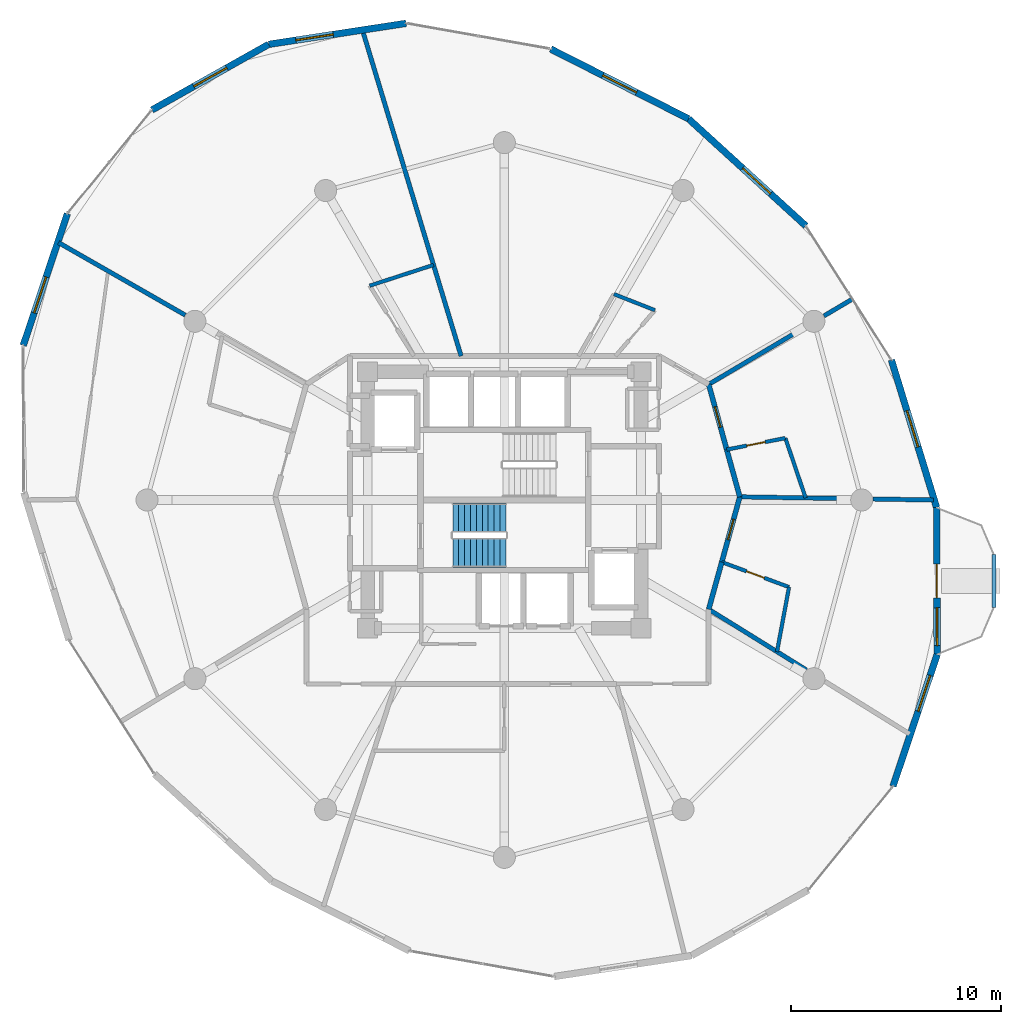
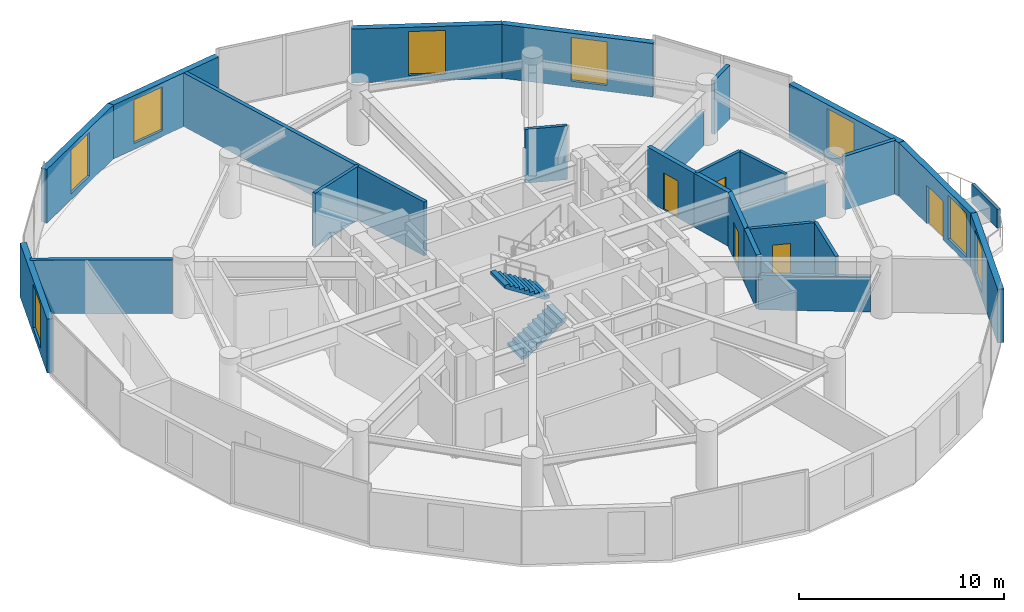
# One storey, part 19 of 22: 26 walls, 8 windows, 5 doors, 2 stair flights, 13 openings, 1 element without a shape of its own.
"""IFC4 building model written with IfcOpenShell, lengths in metres."""

from ifc_helpers import new_model, si_unit, direction, frame, frame_2d, origin, place, context, subcontext, project, spatial, polyline, rectangle, outline, extrude, material, layer, layer_set, type_object, element, fill, aggregate, save


model = new_model("IFC4")

# Units and contexts
model_context = context("Model", 3, precision=1e-05, world=origin(), true_north=direction((0.0, 1.0)))
body_context = subcontext(model_context, "Body", "Model", "MODEL_VIEW")
ifc_project = project(units=[si_unit("LENGTHUNIT", "METRE"), si_unit("AREAUNIT", "SQUARE_METRE"), si_unit("VOLUMEUNIT", "CUBIC_METRE"), si_unit("PLANEANGLEUNIT", "RADIAN"), si_unit("MASSUNIT", "GRAM", prefix="KILO")], contexts=[model_context])

# Site, building, storey
site_placement = place(None, origin())
site = spatial("IfcSite", under=ifc_project, at=site_placement, CompositionType="ELEMENT")
building_placement = place(site_placement, origin())
building = spatial("IfcBuilding", under=site, at=building_placement, Name="Solvirekh Grand Hotel", CompositionType="ELEMENT")
storey_placement = place(building_placement, frame((0.0, 0.0, 160.199951171875)))
storey = spatial("IfcBuildingStorey", under=building, at=storey_placement, Name="L41", CompositionType="ELEMENT", Elevation=160.199951171875)

# Wall, opening, window
ifc_material_1 = material(Name="Precast concrete C45/55", Category="concrete")
ifc_layer_1 = layer(ifc_material_1, 0.320068359375)
ifc_layer_set_1 = layer_set([ifc_layer_1], Name="Precast concrete C45/55")
wall_type_1 = type_object("IfcWallType", Name="ExtLobbyWall_RC320", PredefinedType="SOLIDWALL", material=ifc_layer_set_1)
wall_1_placement = place(storey_placement, frame((20.589111328125, -7.347900390625, 0.0), z_axis=(0.0, 0.0, 1.0), x_axis=(-0.317866465999, -0.948135491264, 0.0)))
wall_1 = element("IfcWall", 1, at=wall_1_placement, inside=storey, type_object=wall_type_1, Name="L41 exterior structural wall chord 2", PredefinedType="SOLIDWALL", context=body_context, shape_type="SweptSolid", body=[
    extrude(rectangle(XDim=6.613037109375, YDim=0.320068359375, at=frame_2d((3.306640625, 0.0))), origin(), (0.0, 0.0, 1.0), 3.199951171875),
])
opening_1_placement = place(wall_1_placement, frame((1.052001953125, 0.0, 0.35009765625)))
opening_1 = element("IfcOpeningElement", 2, at=opening_1_placement, cuts=wall_1, Name="Opening W02", PredefinedType="OPENING", context=body_context, shape_type="SweptSolid", body=[
    extrude(rectangle(XDim=1.800048828125, YDim=2.60009765625, at=frame_2d((0.89990234375, 1.300048828125))), frame((0.0, 0.169921875, 0.0), z_axis=(0.0, -1.0, 0.0), x_axis=(1.0, 0.0, 0.0)), (0.0, 0.0, 1.0), 0.340087890625),
])
ifc_material_2 = material(Name="Low-E Tinted Bronze Laminated Glass", Category="aluminium")
window_type = type_object("IfcWindowType", Name="Win_LobbyExt_1800X2600", PartitioningType="SINGLE_PANEL", PredefinedType="WINDOW", material=ifc_material_2)
window_1_placement = place(opening_1_placement, origin())
window_1 = element("IfcWindow", 3, at=window_1_placement, inside=storey, type_object=window_type, Name="L41 panoramic bronze-framed window 2", OverallHeight=2.60009765625, OverallWidth=1.800048828125, PartitioningType="SINGLE_PANEL", PredefinedType="WINDOW", context=body_context, shape_type="SweptSolid", body=[
    extrude(rectangle(XDim=1.800048828125, YDim=2.60009765625, at=frame_2d((0.89990234375, 1.300048828125))), frame((0.0, 0.030029296875, 0.0), z_axis=(0.0, -1.0, 0.0), x_axis=(1.0, 0.0, 0.0)), (0.0, 0.0, 1.0), 0.06005859375),
])
fill(opening_1, window_1)

# Wall, openings, door, window
wall_2_placement = place(storey_placement, frame((20.56201171875, -0.35791015625, 0.0), z_axis=(0.0, 0.0, 1.0), x_axis=(0.003876887493, -0.999992484843, 0.0)))
wall_2 = element("IfcWall", 4, at=wall_2_placement, inside=storey, type_object=wall_type_1, Name="L41 exterior structural wall chord 3", PredefinedType="SOLIDWALL", context=body_context, shape_type="SweptSolid", body=[
    extrude(rectangle(XDim=6.989990234375, YDim=0.320068359375, at=frame_2d((3.4951171875, 0.0))), origin(), (0.0, 0.0, 1.0), 3.199951171875),
])
opening_2_placement = place(wall_2_placement, frame((4.76806640625, 0.0, 0.35009765625)))
opening_2 = element("IfcOpeningElement", 5, at=opening_2_placement, cuts=wall_2, Name="Opening W02", PredefinedType="OPENING", context=body_context, shape_type="SweptSolid", body=[
    extrude(rectangle(XDim=1.800048828125, YDim=2.60009765625, at=frame_2d((0.89990234375, 1.300048828125))), frame((0.0, 0.169921875, 0.0), z_axis=(0.0, -1.0, 0.0), x_axis=(1.0, 0.0, 0.0)), (0.0, 0.0, 1.0), 0.340087890625),
])
opening_3_placement = place(wall_2_placement, frame((2.695068359375, 0.0, 0.0)))
opening_3 = element("IfcOpeningElement", 6, at=opening_3_placement, cuts=wall_2, Name="Opening D04", PredefinedType="OPENING", context=body_context, shape_type="SweptSolid", body=[
    extrude(rectangle(XDim=1.60009765625, YDim=2.300048828125, at=frame_2d((0.800048828125, 1.14990234375))), frame((0.0, 0.169921875, 0.0), z_axis=(0.0, -1.0, 0.0), x_axis=(1.0, 0.0, 0.0)), (0.0, 0.0, 1.0), 0.340087890625),
])
ifc_material_3 = material(Name="Anodized Bronze Aluminium 6063-T6", Category="aluminium")
door_type_1 = type_object("IfcDoorType", Name="Door_ExtTerrace_1600X2300", OperationType="NOTDEFINED", PredefinedType="DOOR", material=ifc_material_3)
door_1_placement = place(opening_3_placement, origin())
door_1 = element("IfcDoor", 7, at=door_1_placement, inside=storey, type_object=door_type_1, Name="L41 East horn sky-garden terrace door (3)", OperationType="SINGLE_SWING_RIGHT", OverallHeight=2.300048828125, OverallWidth=1.60009765625, PredefinedType="DOOR", context=body_context, shape_type="SweptSolid", body=[
    extrude(rectangle(XDim=1.60009765625, YDim=2.300048828125, at=frame_2d((0.800048828125, 1.14990234375))), frame((0.0, 0.02490234375, 0.0), z_axis=(0.0, -1.0, 0.0), x_axis=(1.0, 0.0, 0.0)), (0.0, 0.0, 1.0), 0.050048828125),
])
fill(opening_3, door_1)
window_2_placement = place(opening_2_placement, origin())
window_2 = element("IfcWindow", 8, at=window_2_placement, inside=storey, type_object=window_type, Name="L41 exterior side window 3", OverallHeight=2.60009765625, OverallWidth=1.800048828125, PartitioningType="SINGLE_PANEL", PredefinedType="WINDOW", context=body_context, shape_type="SweptSolid", body=[
    extrude(rectangle(XDim=1.800048828125, YDim=2.60009765625, at=frame_2d((0.89990234375, 1.300048828125))), frame((0.0, 0.030029296875, 0.0), z_axis=(0.0, -1.0, 0.0), x_axis=(1.0, 0.0, 0.0)), (0.0, 0.0, 1.0), 0.06005859375),
])
fill(opening_2, window_2)

# Wall, opening, window
wall_3_placement = place(storey_placement, frame((18.410888671875, 6.666015625, 0.0), z_axis=(0.0, 0.0, 1.0), x_axis=(0.292831477481, -0.956164068451, 0.0)))
wall_3 = element("IfcWall", 9, at=wall_3_placement, inside=storey, type_object=wall_type_1, Name="L41 exterior structural wall chord 4", PredefinedType="SOLIDWALL", context=body_context, shape_type="SweptSolid", body=[
    extrude(rectangle(XDim=7.345947265625, YDim=0.320068359375, at=frame_2d((3.6728515625, 0.0))), origin(), (0.0, 0.0, 1.0), 3.199951171875),
])
opening_4_placement = place(wall_3_placement, frame((2.530029296875, 0.0, 0.35009765625)))
opening_4 = element("IfcOpeningElement", 10, at=opening_4_placement, cuts=wall_3, Name="Opening W02", PredefinedType="OPENING", context=body_context, shape_type="SweptSolid", body=[
    extrude(rectangle(XDim=1.800048828125, YDim=2.60009765625, at=frame_2d((0.89990234375, 1.300048828125))), frame((0.0, 0.169921875, 0.0), z_axis=(0.0, -1.0, 0.0), x_axis=(1.0, 0.0, 0.0)), (0.0, 0.0, 1.0), 0.340087890625),
])
window_3_placement = place(opening_4_placement, origin())
window_3 = element("IfcWindow", 11, at=window_3_placement, inside=storey, type_object=window_type, Name="L41 panoramic bronze-framed window 4", OverallHeight=2.60009765625, OverallWidth=1.800048828125, PartitioningType="SINGLE_PANEL", PredefinedType="WINDOW", context=body_context, shape_type="SweptSolid", body=[
    extrude(rectangle(XDim=1.800048828125, YDim=2.60009765625, at=frame_2d((0.89990234375, 1.300048828125))), frame((0.0, 0.030029296875, 0.0), z_axis=(0.0, -1.0, 0.0), x_axis=(1.0, 0.0, 0.0)), (0.0, 0.0, 1.0), 0.06005859375),
])
fill(opening_4, window_3)

wall_4_placement = place(storey_placement, frame((8.760986328125, 18.134033203125, 0.0), z_axis=(0.0, 0.0, 1.0), x_axis=(0.738589670995, -0.674155247624, 0.0)))
wall_4 = element("IfcWall", 12, at=wall_4_placement, inside=storey, type_object=wall_type_1, Name="L41 exterior structural wall chord 6", PredefinedType="SOLIDWALL", context=body_context, shape_type="SweptSolid", body=[
    extrude(rectangle(XDim=7.55908203125, YDim=0.320068359375, at=frame_2d((3.779541015625, 0.0))), origin(), (0.0, 0.0, 1.0), 3.199951171875),
])
opening_5_placement = place(wall_4_placement, frame((3.47900390625, 0.0, 0.35009765625)))
opening_5 = element("IfcOpeningElement", 13, at=opening_5_placement, cuts=wall_4, Name="Opening W02", PredefinedType="OPENING", context=body_context, shape_type="SweptSolid", body=[
    extrude(rectangle(XDim=1.800048828125, YDim=2.60009765625, at=frame_2d((0.89990234375, 1.300048828125))), frame((0.0, 0.169921875, 0.0), z_axis=(0.0, -1.0, 0.0), x_axis=(1.0, 0.0, 0.0)), (0.0, 0.0, 1.0), 0.340087890625),
])
window_4_placement = place(opening_5_placement, origin())
window_4 = element("IfcWindow", 14, at=window_4_placement, inside=storey, type_object=window_type, Name="L41 panoramic bronze-framed window 6", OverallHeight=2.60009765625, OverallWidth=1.800048828125, PartitioningType="SINGLE_PANEL", PredefinedType="WINDOW", context=body_context, shape_type="SweptSolid", body=[
    extrude(rectangle(XDim=1.800048828125, YDim=2.60009765625, at=frame_2d((0.89990234375, 1.300048828125))), frame((0.0, 0.030029296875, 0.0), z_axis=(0.0, -1.0, 0.0), x_axis=(1.0, 0.0, 0.0)), (0.0, 0.0, 1.0), 0.06005859375),
])
fill(opening_5, window_4)

wall_5_placement = place(storey_placement, frame((2.2080078125, 21.4541015625, 0.0), z_axis=(0.0, 0.0, 1.0), x_axis=(0.892041671527, -0.451953157151, 0.0)))
wall_5 = element("IfcWall", 15, at=wall_5_placement, inside=storey, type_object=wall_type_1, Name="L41 exterior structural wall chord 7", PredefinedType="SOLIDWALL", context=body_context, shape_type="SweptSolid", body=[
    extrude(rectangle(XDim=7.345947265625, YDim=0.320068359375, at=frame_2d((3.6728515625, 0.0))), origin(), (0.0, 0.0, 1.0), 3.199951171875),
])
opening_6_placement = place(wall_5_placement, frame((2.77294921875, 0.0, 0.35009765625)))
opening_6 = element("IfcOpeningElement", 16, at=opening_6_placement, cuts=wall_5, Name="Opening W02", PredefinedType="OPENING", context=body_context, shape_type="SweptSolid", body=[
    extrude(rectangle(XDim=1.800048828125, YDim=2.60009765625, at=frame_2d((0.89990234375, 1.300048828125))), frame((0.0, 0.169921875, 0.0), z_axis=(0.0, -1.0, 0.0), x_axis=(1.0, 0.0, 0.0)), (0.0, 0.0, 1.0), 0.340087890625),
])
window_5_placement = place(opening_6_placement, origin())
window_5 = element("IfcWindow", 17, at=window_5_placement, inside=storey, type_object=window_type, Name="L41 panoramic bronze-framed window 7", OverallHeight=2.60009765625, OverallWidth=1.800048828125, PartitioningType="SINGLE_PANEL", PredefinedType="WINDOW", context=body_context, shape_type="SweptSolid", body=[
    extrude(rectangle(XDim=1.800048828125, YDim=2.60009765625, at=frame_2d((0.89990234375, 1.300048828125))), frame((0.0, 0.030029296875, 0.0), z_axis=(0.0, -1.0, 0.0), x_axis=(1.0, 0.0, 0.0)), (0.0, 0.0, 1.0), 0.06005859375),
])
fill(opening_6, window_5)

wall_6_placement = place(storey_placement, frame((-11.2109375, 21.676025390625, 0.0), z_axis=(0.0, 0.0, 1.0), x_axis=(0.988522302644, 0.151075005132, 0.0)))
wall_6 = element("IfcWall", 18, at=wall_6_placement, inside=storey, type_object=wall_type_1, Name="L41 exterior structural wall chord 9", PredefinedType="SOLIDWALL", context=body_context, shape_type="SweptSolid", body=[
    extrude(rectangle(XDim=6.61279296875, YDim=0.320068359375, at=frame_2d((3.306396484375, 0.0))), origin(), (0.0, 0.0, 1.0), 3.199951171875),
])
opening_7_placement = place(wall_6_placement, frame((1.30908203125, 0.0, 0.35009765625)))
opening_7 = element("IfcOpeningElement", 19, at=opening_7_placement, cuts=wall_6, Name="Opening W02", PredefinedType="OPENING", context=body_context, shape_type="SweptSolid", body=[
    extrude(rectangle(XDim=1.800048828125, YDim=2.60009765625, at=frame_2d((0.89990234375, 1.300048828125))), frame((0.0, 0.169921875, 0.0), z_axis=(0.0, -1.0, 0.0), x_axis=(1.0, 0.0, 0.0)), (0.0, 0.0, 1.0), 0.340087890625),
])
window_6_placement = place(opening_7_placement, origin())
window_6 = element("IfcWindow", 20, at=window_6_placement, inside=storey, type_object=window_type, Name="L41 panoramic bronze-framed window 9", OverallHeight=2.60009765625, OverallWidth=1.800048828125, PartitioningType="SINGLE_PANEL", PredefinedType="WINDOW", context=body_context, shape_type="SweptSolid", body=[
    extrude(rectangle(XDim=1.800048828125, YDim=2.60009765625, at=frame_2d((0.89990234375, 1.300048828125))), frame((0.0, 0.030029296875, 0.0), z_axis=(0.0, -1.0, 0.0), x_axis=(1.0, 0.0, 0.0)), (0.0, 0.0, 1.0), 0.06005859375),
])
fill(opening_7, window_6)

wall_7_placement = place(storey_placement, frame((-16.763916015625, 18.554931640625, 0.0), z_axis=(0.0, 0.0, 1.0), x_axis=(0.871740281227, 0.489968245997, 0.0)))
wall_7 = element("IfcWall", 21, at=wall_7_placement, inside=storey, type_object=wall_type_1, Name="L41 exterior structural wall chord 10", PredefinedType="SOLIDWALL", context=body_context, shape_type="SweptSolid", body=[
    extrude(rectangle(XDim=6.369873046875, YDim=0.320068359375, at=frame_2d((3.18505859375, 0.0))), origin(), (0.0, 0.0, 1.0), 3.199951171875),
])
opening_8_placement = place(wall_7_placement, frame((2.284912109375, 0.0, 0.35009765625)))
opening_8 = element("IfcOpeningElement", 22, at=opening_8_placement, cuts=wall_7, Name="Opening W02", PredefinedType="OPENING", context=body_context, shape_type="SweptSolid", body=[
    extrude(rectangle(XDim=1.800048828125, YDim=2.60009765625, at=frame_2d((0.89990234375, 1.300048828125))), frame((0.0, 0.169921875, 0.0), z_axis=(0.0, -1.0, 0.0), x_axis=(1.0, 0.0, 0.0)), (0.0, 0.0, 1.0), 0.340087890625),
])
window_7_placement = place(opening_8_placement, origin())
window_7 = element("IfcWindow", 23, at=window_7_placement, inside=storey, type_object=window_type, Name="L41 panoramic bronze-framed window 10", OverallHeight=2.60009765625, OverallWidth=1.800048828125, PartitioningType="SINGLE_PANEL", PredefinedType="WINDOW", context=body_context, shape_type="SweptSolid", body=[
    extrude(rectangle(XDim=1.800048828125, YDim=2.60009765625, at=frame_2d((0.89990234375, 1.300048828125))), frame((0.0, 0.030029296875, 0.0), z_axis=(0.0, -1.0, 0.0), x_axis=(1.0, 0.0, 0.0)), (0.0, 0.0, 1.0), 0.06005859375),
])
fill(opening_8, window_7)

wall_8_placement = place(storey_placement, frame((-22.888916015625, 7.347900390625, 0.0), z_axis=(0.0, 0.0, 1.0), x_axis=(0.317833277316, 0.948146617265, 0.0)))
wall_8 = element("IfcWall", 24, at=wall_8_placement, inside=storey, type_object=wall_type_1, Name="L41 exterior structural wall chord 12", PredefinedType="SOLIDWALL", context=body_context, shape_type="SweptSolid", body=[
    extrude(rectangle(XDim=6.613037109375, YDim=0.320068359375, at=frame_2d((3.306640625, 0.0))), origin(), (0.0, 0.0, 1.0), 3.199951171875),
])
opening_9_placement = place(wall_8_placement, frame((1.638916015625, 0.0, 0.35009765625)))
opening_9 = element("IfcOpeningElement", 25, at=opening_9_placement, cuts=wall_8, Name="Opening W02", PredefinedType="OPENING", context=body_context, shape_type="SweptSolid", body=[
    extrude(rectangle(XDim=1.800048828125, YDim=2.60009765625, at=frame_2d((0.89990234375, 1.300048828125))), frame((0.0, 0.169921875, 0.0), z_axis=(0.0, -1.0, 0.0), x_axis=(1.0, 0.0, 0.0)), (0.0, 0.0, 1.0), 0.340087890625),
])
window_8_placement = place(opening_9_placement, origin())
window_8 = element("IfcWindow", 26, at=window_8_placement, inside=storey, type_object=window_type, Name="L41 panoramic bronze-framed window 12", OverallHeight=2.60009765625, OverallWidth=1.800048828125, PartitioningType="SINGLE_PANEL", PredefinedType="WINDOW", context=body_context, shape_type="SweptSolid", body=[
    extrude(rectangle(XDim=1.800048828125, YDim=2.60009765625, at=frame_2d((0.89990234375, 1.300048828125))), frame((0.0, 0.030029296875, 0.0), z_axis=(0.0, -1.0, 0.0), x_axis=(1.0, 0.0, 0.0)), (0.0, 0.0, 1.0), 0.06005859375),
])
fill(opening_9, window_8)

# Walls
ifc_layer_2 = layer(ifc_material_1, 0.179931640625)
ifc_layer_set_2 = layer_set([ifc_layer_2], Name="Precast concrete C45/55")
wall_type_2 = type_object("IfcWallType", Name="ExtPlanterWall_180", PredefinedType="PARAPET", material=ifc_layer_set_2)
wall_9_placement = place(storey_placement, frame((23.2890625, -5.111083984375, 0.0), z_axis=(0.0, 0.0, 1.0), x_axis=(0.0, 1.0, 0.0)))
element("IfcWall", 27, at=wall_9_placement, inside=storey, type_object=wall_type_2, Name="L41 horn sky-garden planter parapet", PredefinedType="PARAPET", context=body_context, shape_type="SweptSolid", body=[
    extrude(rectangle(XDim=2.51611328125, YDim=0.179931640625, at=frame_2d((1.258056640625, 0.0))), origin(), (0.0, 0.0, 1.0), 1.1201171875),
])
ifc_material_4 = material(Name="Acoustic Gypsum Partition Assembly")
ifc_layer_3 = layer(ifc_material_4, 0.239990234375)
ifc_layer_set_3 = layer_set([ifc_layer_3], Name="Acoustic Gypsum Partition Assembly")
wall_type_3 = type_object("IfcWallType", Name="Part_Corridor_240", PredefinedType="PARTITIONING", material=ifc_layer_set_3)
wall_10_placement = place(storey_placement, frame((9.719970703125, -5.199951171875, 0.0), z_axis=(0.0, 0.0, 1.0), x_axis=(0.266801280383, 0.963751563831, 0.0)))
element("IfcWall", 28, at=wall_10_placement, inside=storey, type_object=wall_type_3, Name="L41 En-suite Bathroom 4304 corridor backing wall", PredefinedType="PARTITIONING", context=body_context, shape_type="SweptSolid", body=[
    extrude(rectangle(XDim=2.33154296875, YDim=0.239990234375, at=frame_2d((1.165771484375, 0.0))), origin(), (0.0, 0.0, 1.0), 3.199951171875),
])

# Wall, opening, door
wall_11_placement = place(storey_placement, frame((10.342041015625, -2.952880859375, 0.0), z_axis=(0.0, 0.0, 1.0), x_axis=(0.266497617314, 0.963835577246, 0.0)))
wall_11 = element("IfcWall", 29, at=wall_11_placement, inside=storey, type_object=wall_type_3, Name="L41 Deluxe Guestroom 4304 entrance wall", PredefinedType="PARTITIONING", context=body_context, shape_type="SweptSolid", body=[
    extrude(rectangle(XDim=3.21923828125, YDim=0.239990234375, at=frame_2d((1.609619140625, 0.0))), origin(), (0.0, 0.0, 1.0), 3.199951171875),
])
opening_10_placement = place(wall_11_placement, frame((1.110107421875, 0.0, 0.0)))
opening_10 = element("IfcOpeningElement", 30, at=opening_10_placement, cuts=wall_11, Name="Opening D07", PredefinedType="OPENING", context=body_context, shape_type="SweptSolid", body=[
    extrude(rectangle(XDim=1.0, YDim=2.199951171875, at=frame_2d((0.5, 1.10009765625))), frame((0.0, 0.1298828125, 0.0), z_axis=(0.0, -1.0, 0.0), x_axis=(1.0, 0.0, 0.0)), (0.0, 0.0, 1.0), 0.260009765625),
])
ifc_material_5 = material(Name="Fire-Rated Steel Door Assembly", Category="steel")
door_type_2 = type_object("IfcDoorType", Name="Door_GuestEntry_1000X2200", OperationType="NOTDEFINED", PredefinedType="DOOR", material=ifc_material_5)
door_2_placement = place(opening_10_placement, origin())
door_2 = element("IfcDoor", 31, at=door_2_placement, inside=storey, type_object=door_type_2, Name="L41 Deluxe Guestroom 4304 entrance door", OperationType="SINGLE_SWING_LEFT", OverallHeight=2.199951171875, OverallWidth=1.0, PredefinedType="DOOR", context=body_context, shape_type="SweptSolid", body=[
    extrude(rectangle(XDim=1.0, YDim=2.199951171875, at=frame_2d((0.5, 1.10009765625))), frame((0.0, 0.02490234375, 0.0), z_axis=(0.0, -1.0, 0.0), x_axis=(1.0, 0.0, 0.0)), (0.0, 0.0, 1.0), 0.050048828125),
])
fill(opening_10, door_2)

# Wall
wall_12_placement = place(storey_placement, frame((11.199951171875, 0.14990234375, 0.0), z_axis=(0.0, 0.0, 1.0), x_axis=(-0.266801280383, 0.963751563831, 0.0)))
element("IfcWall", 32, at=wall_12_placement, inside=storey, type_object=wall_type_3, Name="L41 En-suite Bathroom 4305 corridor backing wall", PredefinedType="PARTITIONING", context=body_context, shape_type="SweptSolid", body=[
    extrude(rectangle(XDim=2.33154296875, YDim=0.239990234375, at=frame_2d((1.165771484375, 0.0))), origin(), (0.0, 0.0, 1.0), 3.199951171875),
])

# Wall, opening, door
wall_13_placement = place(storey_placement, frame((10.577880859375, 2.39697265625, 0.0), z_axis=(0.0, 0.0, 1.0), x_axis=(-0.266478138733, 0.963840962803, 0.0)))
wall_13 = element("IfcWall", 33, at=wall_13_placement, inside=storey, type_object=wall_type_3, Name="L41 Deluxe Guestroom 4305 entrance wall", PredefinedType="PARTITIONING", context=body_context, shape_type="SweptSolid", body=[
    extrude(rectangle(XDim=3.219482421875, YDim=0.239990234375, at=frame_2d((1.60986328125, 0.0))), origin(), (0.0, 0.0, 1.0), 3.199951171875),
])
opening_11_placement = place(wall_13_placement, frame((1.110107421875, 0.0, 0.0)))
opening_11 = element("IfcOpeningElement", 34, at=opening_11_placement, cuts=wall_13, Name="Opening D07", PredefinedType="OPENING", context=body_context, shape_type="SweptSolid", body=[
    extrude(rectangle(XDim=1.0, YDim=2.199951171875, at=frame_2d((0.5, 1.10009765625))), frame((0.0, 0.1298828125, 0.0), z_axis=(0.0, -1.0, 0.0), x_axis=(1.0, 0.0, 0.0)), (0.0, 0.0, 1.0), 0.260009765625),
])
door_3_placement = place(opening_11_placement, origin())
door_3 = element("IfcDoor", 35, at=door_3_placement, inside=storey, type_object=door_type_2, Name="L41 Deluxe Guestroom 4305 entrance door", OperationType="SINGLE_SWING_LEFT", OverallHeight=2.199951171875, OverallWidth=1.0, PredefinedType="DOOR", context=body_context, shape_type="SweptSolid", body=[
    extrude(rectangle(XDim=1.0, YDim=2.199951171875, at=frame_2d((0.5, 1.10009765625))), frame((0.0, 0.02490234375, 0.0), z_axis=(0.0, -1.0, 0.0), x_axis=(1.0, 0.0, 0.0)), (0.0, 0.0, 1.0), 0.050048828125),
])
fill(opening_11, door_3)

# Walls
ifc_layer_4 = layer(ifc_material_4, 0.2099609375)
ifc_layer_set_4 = layer_set([ifc_layer_4], Name="Acoustic Gypsum Partition Assembly")
wall_type_4 = type_object("IfcWallType", Name="Part_SuiteDemise_210", PredefinedType="PARTITIONING", material=ifc_layer_set_4)
wall_14_placement = place(storey_placement, frame((11.199951171875, 0.14990234375, 0.0), z_axis=(0.0, 0.0, 1.0), x_axis=(0.999866513716, -0.016338749957, 0.0)))
element("IfcWall", 36, at=wall_14_placement, inside=storey, type_object=wall_type_4, Name="L41 suite radial wall 1 (A)", PredefinedType="PARTITIONING", context=body_context, shape_type="SweptSolid", body=[
    extrude(rectangle(XDim=5.259765625, YDim=0.2099609375, at=frame_2d((2.6298828125, 0.0))), origin(), (0.0, 0.0, 1.0), 2.067138671875),
])
wall_15_placement = place(storey_placement, frame((17.54296875, 0.047119140625, 0.0), z_axis=(0.0, 0.0, 1.0), x_axis=(0.999865174134, -0.016420522346, 0.0)))
element("IfcWall", 37, at=wall_15_placement, inside=storey, type_object=wall_type_4, Name="L41 suite radial wall 1 (B)", PredefinedType="PARTITIONING", context=body_context, shape_type="SweptSolid", body=[
    extrude(rectangle(XDim=2.86962890625, YDim=0.2099609375, at=frame_2d((1.434814453125, 0.0))), origin(), (0.0, 0.0, 1.0), 3.199951171875),
])
wall_16_placement = place(storey_placement, frame((9.719970703125, 5.5, 0.0), z_axis=(0.0, 0.0, 1.0), x_axis=(0.859846510469, 0.510552620632, 0.0)))
element("IfcWall", 38, at=wall_16_placement, inside=storey, type_object=wall_type_4, Name="L41 suite radial wall 2 (A)", PredefinedType="PARTITIONING", context=body_context, shape_type="SweptSolid", body=[
    extrude(rectangle(XDim=5.288330078125, YDim=0.2099609375, at=frame_2d((2.64404296875, 0.0))), origin(), (0.0, 0.0, 1.0), 2.067138671875),
])
wall_17_placement = place(storey_placement, frame((15.202880859375, 8.756103515625, 0.0), z_axis=(0.0, 0.0, 1.0), x_axis=(0.860124178644, 0.510084696215, 0.0)))
element("IfcWall", 39, at=wall_17_placement, inside=storey, type_object=wall_type_4, Name="L41 suite radial wall 2 (B)", PredefinedType="PARTITIONING", context=body_context, shape_type="SweptSolid", body=[
    extrude(rectangle(XDim=1.540771484375, YDim=0.2099609375, at=frame_2d((0.7705078125, 0.0))), origin(), (0.0, 0.0, 1.0), 3.199951171875),
])
wall_18_placement = place(storey_placement, frame((-15.179931640625, 8.7958984375, 0.0), z_axis=(0.0, 0.0, 1.0), x_axis=(-0.867963853145, 0.496627375034, 0.0)))
element("IfcWall", 40, at=wall_18_placement, inside=storey, type_object=wall_type_4, Name="L41 suite radial wall 6 (B)", PredefinedType="PARTITIONING", context=body_context, shape_type="SweptSolid", body=[
    extrude(rectangle(XDim=6.94287109375, YDim=0.2099609375, at=frame_2d((3.471435546875, 0.0))), origin(), (0.0, 0.0, 1.0), 3.199951171875),
])
wall_19_placement = place(storey_placement, frame((9.719970703125, -5.199951171875, 0.0), z_axis=(0.0, 0.0, 1.0), x_axis=(0.849683597514, -0.527292882671, 0.0)))
element("IfcWall", 41, at=wall_19_placement, inside=storey, type_object=wall_type_4, Name="L41 suite radial wall 12 (A)", PredefinedType="PARTITIONING", context=body_context, shape_type="SweptSolid", body=[
    extrude(rectangle(XDim=5.471435546875, YDim=0.2099609375, at=frame_2d((2.73583984375, 0.0))), origin(), (0.0, 0.0, 1.0), 2.067138671875),
])
wall_20_placement = place(storey_placement, frame((-2.05810546875, 6.85009765625, 0.0), z_axis=(0.0, 0.0, 1.0), x_axis=(-0.289629618079, 0.957138800975, 0.0)))
element("IfcWall", 42, at=wall_20_placement, inside=storey, type_object=wall_type_4, Name="L41 Panorama Suite 4301 North Observatory Study dividing partition 1", PredefinedType="PARTITIONING", context=body_context, shape_type="SweptSolid", body=[
    extrude(rectangle(XDim=16.16162109375, YDim=0.2099609375, at=frame_2d((8.080810546875, 0.0))), origin(), (0.0, 0.0, 1.0), 3.199951171875),
])
ifc_layer_5 = layer(ifc_material_4, 0.175048828125)
ifc_layer_set_5 = layer_set([ifc_layer_5], Name="Acoustic Gypsum Partition Assembly")
wall_type_5 = type_object("IfcWallType", Name="Plumb_Ensuite_175", PredefinedType="PLUMBINGWALL", material=ifc_layer_set_5)
wall_21_placement = place(storey_placement, frame((5.212890625, 9.7939453125, 0.0), z_axis=(0.0, 0.0, 1.0), x_axis=(0.930796808483, -0.365537004033, 0.0)))
element("IfcWall", 43, at=wall_21_placement, inside=storey, type_object=wall_type_5, Name="L41 En-suite Bathroom 4301 outer plumbing wall", PredefinedType="PLUMBINGWALL", context=body_context, shape_type="SweptSolid", body=[
    extrude(rectangle(XDim=2.09521484375, YDim=0.175048828125, at=frame_2d((1.047607421875, 0.0))), origin(), (0.0, 0.0, 1.0), 3.199951171875),
])
wall_22_placement = place(storey_placement, frame((-6.406005859375, 10.194091796875, 0.0), z_axis=(0.0, 0.0, 1.0), x_axis=(0.951056539239, 0.309016923762, 0.0)))
element("IfcWall", 44, at=wall_22_placement, inside=storey, type_object=wall_type_5, Name="L41 En-suite Bathroom 4302 outer plumbing wall", PredefinedType="PLUMBINGWALL", context=body_context, shape_type="SweptSolid", body=[
    extrude(rectangle(XDim=3.193359375, YDim=0.175048828125, at=frame_2d((1.5966796875, 0.0))), origin(), (0.0, 0.0, 1.0), 3.199951171875),
])
wall_23_placement = place(storey_placement, frame((12.969970703125, -7.217041015625, 0.0), z_axis=(0.0, 0.0, 1.0), x_axis=(0.183000964093, 0.983112733689, 0.0)))
element("IfcWall", 45, at=wall_23_placement, inside=storey, type_object=wall_type_5, Name="L41 En-suite Bathroom 4304 outer plumbing wall", PredefinedType="PLUMBINGWALL", context=body_context, shape_type="SweptSolid", body=[
    extrude(rectangle(XDim=3.125732421875, YDim=0.175048828125, at=frame_2d((1.56298828125, 0.0))), origin(), (0.0, 0.0, 1.0), 3.199951171875),
])

# Wall, opening, door
wall_24_placement = place(storey_placement, frame((10.342041015625, -2.952880859375, 0.0), z_axis=(0.0, 0.0, 1.0), x_axis=(0.937175646821, -0.348857860749, 0.0)))
wall_24 = element("IfcWall", 46, at=wall_24_placement, inside=storey, type_object=wall_type_5, Name="L41 En-suite Bathroom 4304 entry plumbing wall", PredefinedType="PLUMBINGWALL", context=body_context, shape_type="SweptSolid", body=[
    extrude(rectangle(XDim=3.41455078125, YDim=0.175048828125, at=frame_2d((1.707275390625, 0.0))), origin(), (0.0, 0.0, 1.0), 3.199951171875),
])
opening_12_placement = place(wall_24_placement, frame((1.257080078125, 0.0, 0.0)))
opening_12 = element("IfcOpeningElement", 47, at=opening_12_placement, cuts=wall_24, Name="Opening D09", PredefinedType="OPENING", context=body_context, shape_type="SweptSolid", body=[
    extrude(rectangle(XDim=0.89990234375, YDim=2.10009765625, at=frame_2d((0.449951171875, 1.050048828125))), frame((0.0, 0.09765625, 0.0), z_axis=(0.0, -1.0, 0.0), x_axis=(1.0, 0.0, 0.0)), (0.0, 0.0, 1.0), 0.195068359375),
])
door_type_3 = type_object("IfcDoorType", Name="Door_Ensuite_900X2100", OperationType="NOTDEFINED", PredefinedType="DOOR", material=ifc_material_3)
door_4_placement = place(opening_12_placement, origin())
door_4 = element("IfcDoor", 48, at=door_4_placement, inside=storey, type_object=door_type_3, Name="L41 En-suite Bathroom 4304 door", OperationType="SINGLE_SWING_RIGHT", OverallHeight=2.10009765625, OverallWidth=0.89990234375, PredefinedType="DOOR", context=body_context, shape_type="SweptSolid", body=[
    extrude(rectangle(XDim=0.89990234375, YDim=2.10009765625, at=frame_2d((0.449951171875, 1.050048828125))), frame((0.0, 0.02490234375, 0.0), z_axis=(0.0, -1.0, 0.0), x_axis=(1.0, 0.0, 0.0)), (0.0, 0.0, 1.0), 0.050048828125),
])
fill(opening_12, door_4)

# Wall
wall_25_placement = place(storey_placement, frame((14.33203125, 0.09912109375, 0.0), z_axis=(0.0, 0.0, 1.0), x_axis=(-0.32114672857, 0.947029449769, 0.0)))
element("IfcWall", 49, at=wall_25_placement, inside=storey, type_object=wall_type_5, Name="L41 En-suite Bathroom 4305 outer plumbing wall", PredefinedType="PLUMBINGWALL", context=body_context, shape_type="SweptSolid", body=[
    extrude(rectangle(XDim=3.005126953125, YDim=0.175048828125, at=frame_2d((1.50244140625, 0.0))), origin(), (0.0, 0.0, 1.0), 3.199951171875),
])

# Wall, opening, door
wall_26_placement = place(storey_placement, frame((10.577880859375, 2.39697265625, 0.0), z_axis=(0.0, 0.0, 1.0), x_axis=(0.981232572148, 0.192828004593, 0.0)))
wall_26 = element("IfcWall", 50, at=wall_26_placement, inside=storey, type_object=wall_type_5, Name="L41 En-suite Bathroom 4305 entry plumbing wall", PredefinedType="PLUMBINGWALL", context=body_context, shape_type="SweptSolid", body=[
    extrude(rectangle(XDim=2.84228515625, YDim=0.175048828125, at=frame_2d((1.421142578125, 0.0))), origin(), (0.0, 0.0, 1.0), 3.199951171875),
])
opening_13_placement = place(wall_26_placement, frame((0.970947265625, 0.0, 0.0)))
opening_13 = element("IfcOpeningElement", 51, at=opening_13_placement, cuts=wall_26, Name="Opening D09", PredefinedType="OPENING", context=body_context, shape_type="SweptSolid", body=[
    extrude(rectangle(XDim=0.89990234375, YDim=2.10009765625, at=frame_2d((0.449951171875, 1.050048828125))), frame((0.0, 0.09765625, 0.0), z_axis=(0.0, -1.0, 0.0), x_axis=(1.0, 0.0, 0.0)), (0.0, 0.0, 1.0), 0.195068359375),
])
door_5_placement = place(opening_13_placement, origin())
door_5 = element("IfcDoor", 52, at=door_5_placement, inside=storey, type_object=door_type_3, Name="L41 En-suite Bathroom 4305 door", OperationType="SINGLE_SWING_RIGHT", OverallHeight=2.10009765625, OverallWidth=0.89990234375, PredefinedType="DOOR", context=body_context, shape_type="SweptSolid", body=[
    extrude(rectangle(XDim=0.89990234375, YDim=2.10009765625, at=frame_2d((0.449951171875, 1.050048828125))), frame((0.0, 0.02490234375, 0.0), z_axis=(0.0, -1.0, 0.0), x_axis=(1.0, 0.0, 0.0)), (0.0, 0.0, 1.0), 0.050048828125),
])
fill(opening_13, door_5)

# Stair, stair flights
ifc_material_6 = material(Name="Concrete C40/50", Category="concrete")
stair_type = type_object("IfcStairType", Name="Stair_Core_1450", PredefinedType="HALF_TURN_STAIR", material=ifc_material_6)
stair_placement = place(storey_placement, origin())
stair = element("IfcStair", 53, at=stair_placement, inside=storey, type_object=stair_type, Name="L41 Enclosed exit stair ST-1", PredefinedType="HALF_TURN_STAIR")
stair_flight_type = type_object("IfcStairFlightType", Name="Flight_Core_1450", PredefinedType="STRAIGHT", material=ifc_material_6)
stair_flight_1_placement = place(storey_placement, frame((-2.449951171875, -2.5, 0.0), z_axis=(0.0, 0.0, 1.0), x_axis=(1.0, 0.0, 0.0)))
stair_flight_1 = element("IfcStairFlight", 54, at=stair_flight_1_placement, type_object=stair_flight_type, Name="ST-1 flight 1", NumberOfRisers=10, NumberOfTreads=9, PredefinedType="STRAIGHT", RiserHeight=0.18, TreadLength=0.28, context=body_context, shape_type="SweptSolid", body=[
    extrude(outline(polyline([(0.0, 0.0), (0.0, 0.179931640625), (0.280029296875, 0.179931640625), (0.280029296875, 0.360107421875), (0.56005859375, 0.360107421875), (0.56005859375, 0.5400390625), (0.840087890625, 0.5400390625), (0.840087890625, 0.719970703125), (1.1201171875, 0.719970703125), (1.1201171875, 0.89990234375), (1.39990234375, 0.89990234375), (1.39990234375, 1.080078125), (1.679931640625, 1.080078125), (1.679931640625, 1.260009765625), (1.9599609375, 1.260009765625), (1.9599609375, 1.43994140625), (2.239990234375, 1.43994140625), (2.239990234375, 1.6201171875), (2.52001953125, 1.6201171875), (2.52001953125, 1.800048828125), (2.52001953125, 1.44189453125), (0.277099609375, 0.0), (0.0, 0.0)])), frame((0.0, 0.699951171875, 0.0), z_axis=(0.0, -1.0, 0.0), x_axis=(1.0, 0.0, 0.0)), (0.0, 0.0, 1.0), 1.39990234375),
])
stair_flight_2_placement = place(storey_placement, frame((0.070068359375, -0.85009765625, 1.800048828125), z_axis=(0.0, 0.0, 1.0), x_axis=(-1.0, 0.0, 0.0)))
stair_flight_2 = element("IfcStairFlight", 55, at=stair_flight_2_placement, type_object=stair_flight_type, Name="ST-1 flight 2", NumberOfRisers=10, NumberOfTreads=9, PredefinedType="STRAIGHT", RiserHeight=0.18, TreadLength=0.28, context=body_context, shape_type="SweptSolid", body=[
    extrude(outline(polyline([(0.0, 0.0), (0.0, 0.179931640625), (0.280029296875, 0.179931640625), (0.280029296875, 0.360107421875), (0.56005859375, 0.360107421875), (0.56005859375, 0.5400390625), (0.840087890625, 0.5400390625), (0.840087890625, 0.719970703125), (1.1201171875, 0.719970703125), (1.1201171875, 0.89990234375), (1.39990234375, 0.89990234375), (1.39990234375, 1.080078125), (1.679931640625, 1.080078125), (1.679931640625, 1.260009765625), (1.9599609375, 1.260009765625), (1.9599609375, 1.43994140625), (2.239990234375, 1.43994140625), (2.239990234375, 1.6201171875), (2.52001953125, 1.6201171875), (2.52001953125, 1.800048828125), (2.52001953125, 1.44189453125), (0.277099609375, 0.0), (0.0, 0.0)])), frame((0.0, 0.699951171875, 0.0), z_axis=(0.0, -1.0, 0.0), x_axis=(1.0, 0.0, 0.0)), (0.0, 0.0, 1.0), 1.39990234375),
])
aggregate(stair, [stair_flight_1, stair_flight_2])

save(model, "model.ifc")
